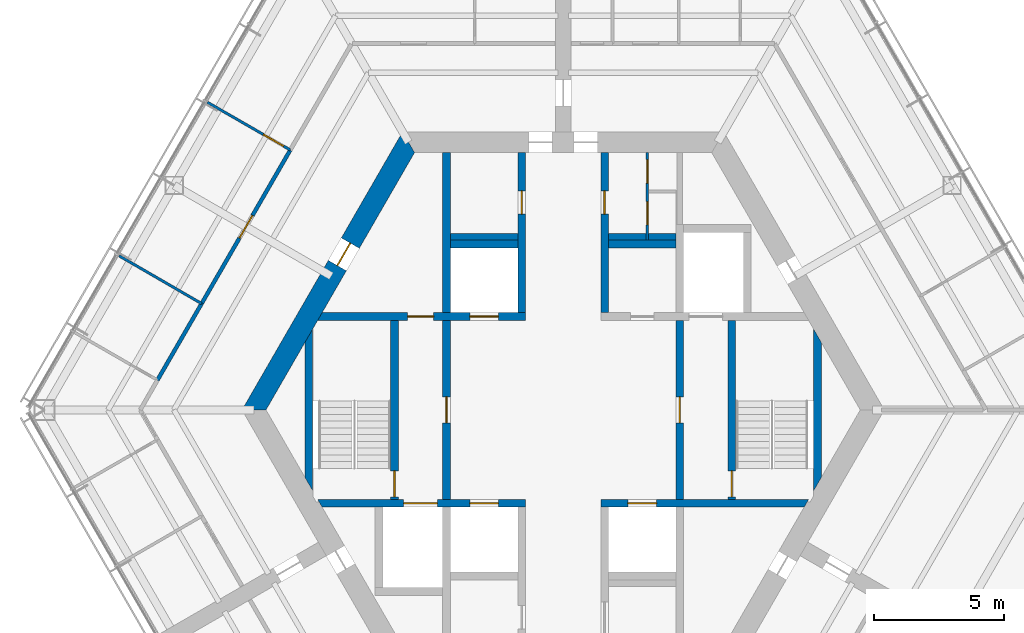
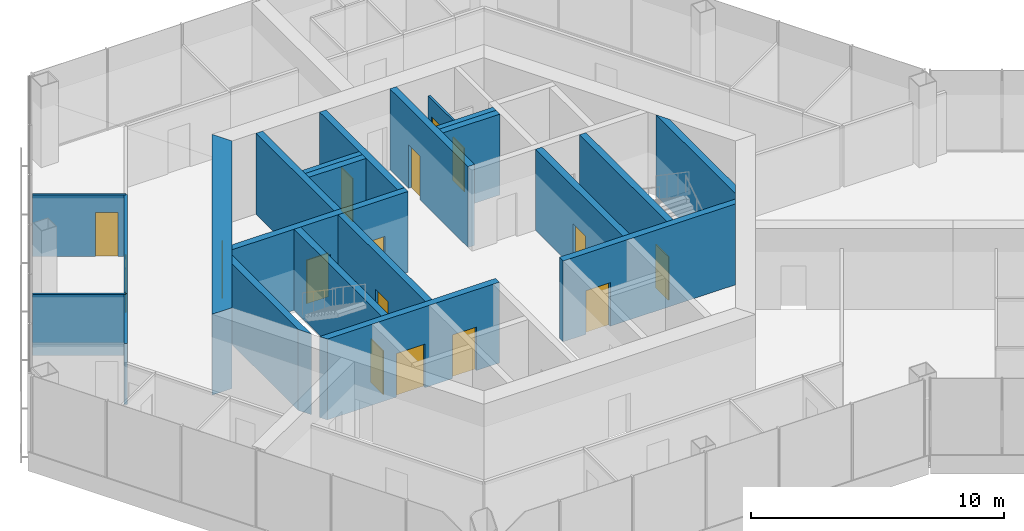
# One storey, part 8 of 13: 22 walls, 16 doors, 16 openings.
"""IFC4 building model written with IfcOpenShell, lengths in metres."""

from ifc_helpers import new_model, si_unit, direction, frame, frame_2d, origin, place, context, subcontext, project, spatial, polyline, rectangle, outline, extrude, material, layer, layer_set, type_object, element, fill, save


model = new_model("IFC4")

# Units and contexts
model_context = context("Model", 3, precision=1e-05, world=origin(), true_north=direction((0.0, 1.0)))
body_context = subcontext(model_context, "Body", "Model", "MODEL_VIEW")
ifc_project = project(units=[si_unit("LENGTHUNIT", "METRE"), si_unit("AREAUNIT", "SQUARE_METRE"), si_unit("VOLUMEUNIT", "CUBIC_METRE"), si_unit("PLANEANGLEUNIT", "RADIAN"), si_unit("MASSUNIT", "GRAM", prefix="KILO")], contexts=[model_context])

# Site, building, storey
site_placement = place(None, origin())
site = spatial("IfcSite", under=ifc_project, at=site_placement, CompositionType="ELEMENT")
building_placement = place(site_placement, origin())
building = spatial("IfcBuilding", under=site, at=building_placement, Name="Kasaneha Research Tower", CompositionType="ELEMENT")
storey_placement = place(building_placement, frame((0.0, 0.0, 283.0)))
storey = spatial("IfcBuildingStorey", under=building, at=storey_placement, Name="L71", CompositionType="ELEMENT", Elevation=283.0)

# Wall, openings, doors
ifc_material_1 = material(Name="Concrete Fc60", Category="concrete")
ifc_layer_1 = layer(ifc_material_1, 0.300048828125)
ifc_layer_set_1 = layer_set([ifc_layer_1], Name="Core internal wall 300 Fc60")
wall_type_1 = type_object("IfcWallType", Name="Core internal wall 300 Fc60", PredefinedType="SHEAR", material=ifc_layer_set_1)
wall_1_placement = place(storey_placement, frame((-9.3818359375, 3.60009765625, 0.0), z_axis=(0.0, 0.0, 1.0), x_axis=(1.0, 0.0, 0.0)))
wall_1 = element("IfcWall", 1, at=wall_1_placement, inside=storey, type_object=wall_type_1, Name="Core wall W1W L71", PredefinedType="SHEAR", context=body_context, shape_type="SweptSolid", body=[
    extrude(outline(polyline([(-0.086669921875, -0.14990234375), (3.3818359375, -0.14990234375), (4.3818359375, -0.14990234375), (5.781982421875, -0.14990234375), (6.882080078125, -0.14990234375), (7.931884765625, -0.14990234375), (7.931884765625, 0.14990234375), (6.882080078125, 0.14990234375), (5.781982421875, 0.14990234375), (4.3818359375, 0.14990234375), (3.3818359375, 0.14990234375), (0.086669921875, 0.14990234375), (-0.086669921875, -0.14990234375)])), origin(), (0.0, 0.0, 1.0), 3.89990234375),
])
opening_1_placement = place(wall_1_placement, frame((3.3818359375, 0.0, 0.0)))
opening_1 = element("IfcOpeningElement", 2, at=opening_1_placement, cuts=wall_1, Name="Opening L71-D12", PredefinedType="OPENING", context=body_context, shape_type="SweptSolid", body=[
    extrude(rectangle(XDim=1.0, YDim=2.10009765625, at=frame_2d((0.5, 1.050048828125))), frame((0.0, 0.16015625, 0.0), z_axis=(0.0, -1.0, 0.0), x_axis=(1.0, 0.0, 0.0)), (0.0, 0.0, 1.0), 0.320068359375),
])
opening_2_placement = place(wall_1_placement, frame((5.781982421875, 0.0, 0.0)))
opening_2 = element("IfcOpeningElement", 3, at=opening_2_placement, cuts=wall_1, Name="Opening LD-LH2-L71", PredefinedType="OPENING", context=body_context, shape_type="SweptSolid", body=[
    extrude(rectangle(XDim=1.10009765625, YDim=2.10009765625, at=frame_2d((0.550048828125, 1.050048828125))), frame((0.0, 0.16015625, 0.0), z_axis=(0.0, -1.0, 0.0), x_axis=(1.0, 0.0, 0.0)), (0.0, 0.0, 1.0), 0.320068359375),
])
ifc_material_2 = material(Name="Steel", Category="steel")
door_type_1 = type_object("IfcDoorType", Name="Lift landing door 1100x2100", OperationType="DOUBLE_DOOR_SLIDING", PredefinedType="DOOR", material=ifc_material_2)
door_1_placement = place(opening_2_placement, origin())
door_1 = element("IfcDoor", 4, at=door_1_placement, inside=storey, type_object=door_type_1, Name="Landing door LH2 LD-LH2-L71", OperationType="DOUBLE_DOOR_SLIDING", OverallHeight=2.10009765625, OverallWidth=1.10009765625, PredefinedType="DOOR", context=body_context, shape_type="SweptSolid", body=[
    extrude(rectangle(XDim=1.10009765625, YDim=2.10009765625, at=frame_2d((0.550048828125, 1.050048828125))), frame((0.0, 0.02490234375, 0.0), z_axis=(0.0, -1.0, 0.0), x_axis=(1.0, 0.0, 0.0)), (0.0, 0.0, 1.0), 0.050048828125),
])
fill(opening_2, door_1)
ifc_material_3 = material(Name="Steel", Category="steel")
door_type_2 = type_object("IfcDoorType", Name="Specified fire door FD60 1000x2100", OperationType="NOTDEFINED", PredefinedType="DOOR", material=ifc_material_3)
door_2_placement = place(opening_1_placement, origin())
door_2 = element("IfcDoor", 5, at=door_2_placement, inside=storey, type_object=door_type_2, Name="Vestibule to lobby door L71-D12", OperationType="SINGLE_SWING_LEFT", OverallHeight=2.10009765625, OverallWidth=1.0, PredefinedType="DOOR", context=body_context, shape_type="SweptSolid", body=[
    extrude(rectangle(XDim=1.0, YDim=2.10009765625, at=frame_2d((0.5, 1.050048828125))), frame((0.0, 0.02490234375, 0.0), z_axis=(0.0, -1.0, 0.0), x_axis=(1.0, 0.0, 0.0)), (0.0, 0.0, 1.0), 0.050048828125),
])
fill(opening_1, door_2)

wall_2_placement = place(storey_placement, frame((-9.3818359375, -3.60009765625, 0.0), z_axis=(0.0, 0.0, 1.0), x_axis=(1.0, 0.0, 0.0)))
wall_2 = element("IfcWall", 6, at=wall_2_placement, inside=storey, type_object=wall_type_1, Name="Core wall W2W L71", PredefinedType="SHEAR", context=body_context, shape_type="SweptSolid", body=[
    extrude(outline(polyline([(0.086669921875, -0.14990234375), (3.23193359375, -0.14990234375), (4.531982421875, -0.14990234375), (5.781982421875, -0.14990234375), (6.882080078125, -0.14990234375), (7.931884765625, -0.14990234375), (7.931884765625, 0.14990234375), (6.882080078125, 0.14990234375), (5.781982421875, 0.14990234375), (4.531982421875, 0.14990234375), (3.23193359375, 0.14990234375), (-0.086669921875, 0.14990234375), (0.086669921875, -0.14990234375)])), origin(), (0.0, 0.0, 1.0), 3.89990234375),
])
opening_3_placement = place(wall_2_placement, frame((5.781982421875, 0.0, 0.0)))
opening_3 = element("IfcOpeningElement", 7, at=opening_3_placement, cuts=wall_2, Name="Opening LD-LH1-L71", PredefinedType="OPENING", context=body_context, shape_type="SweptSolid", body=[
    extrude(rectangle(XDim=1.10009765625, YDim=2.10009765625, at=frame_2d((0.550048828125, 1.050048828125))), frame((0.0, 0.16015625, 0.0), z_axis=(0.0, -1.0, 0.0), x_axis=(1.0, 0.0, 0.0)), (0.0, 0.0, 1.0), 0.320068359375),
])
opening_4_placement = place(wall_2_placement, frame((3.23193359375, 0.0, 0.0)))
opening_4 = element("IfcOpeningElement", 8, at=opening_4_placement, cuts=wall_2, Name="Opening LD-FL2-L71", PredefinedType="OPENING", context=body_context, shape_type="SweptSolid", body=[
    extrude(rectangle(XDim=1.300048828125, YDim=2.10009765625, at=frame_2d((0.64990234375, 1.050048828125))), frame((0.0, 0.16015625, 0.0), z_axis=(0.0, -1.0, 0.0), x_axis=(1.0, 0.0, 0.0)), (0.0, 0.0, 1.0), 0.320068359375),
])
door_3_placement = place(opening_3_placement, origin())
door_3 = element("IfcDoor", 9, at=door_3_placement, inside=storey, type_object=door_type_1, Name="Landing door LH1 LD-LH1-L71", OperationType="DOUBLE_DOOR_SLIDING", OverallHeight=2.10009765625, OverallWidth=1.10009765625, PredefinedType="DOOR", context=body_context, shape_type="SweptSolid", body=[
    extrude(rectangle(XDim=1.10009765625, YDim=2.10009765625, at=frame_2d((0.550048828125, 1.050048828125))), frame((0.0, 0.02490234375, 0.0), z_axis=(0.0, -1.0, 0.0), x_axis=(1.0, 0.0, 0.0)), (0.0, 0.0, 1.0), 0.050048828125),
])
fill(opening_3, door_3)
ifc_material_4 = material(Name="Steel", Category="steel")
door_type_3 = type_object("IfcDoorType", Name="Lift landing door 1300x2100", OperationType="DOUBLE_DOOR_SLIDING", PredefinedType="DOOR", material=ifc_material_4)
door_4_placement = place(opening_4_placement, origin())
door_4 = element("IfcDoor", 10, at=door_4_placement, inside=storey, type_object=door_type_3, Name="Landing door FL2 LD-FL2-L71", OperationType="DOUBLE_DOOR_SLIDING", OverallHeight=2.10009765625, OverallWidth=1.300048828125, PredefinedType="DOOR", context=body_context, shape_type="SweptSolid", body=[
    extrude(rectangle(XDim=1.300048828125, YDim=2.10009765625, at=frame_2d((0.64990234375, 1.050048828125))), frame((0.0, 0.02490234375, 0.0), z_axis=(0.0, -1.0, 0.0), x_axis=(1.0, 0.0, 0.0)), (0.0, 0.0, 1.0), 0.050048828125),
])
fill(opening_4, door_4)

# Wall, opening, door
wall_3_placement = place(storey_placement, frame((1.449951171875, -3.60009765625, 0.0), z_axis=(0.0, 0.0, 1.0), x_axis=(1.0, 0.0, 0.0)))
wall_3 = element("IfcWall", 11, at=wall_3_placement, inside=storey, type_object=wall_type_1, Name="Core wall W2E L71", PredefinedType="SHEAR", context=body_context, shape_type="SweptSolid", body=[
    extrude(outline(polyline([(0.0, -0.14990234375), (1.050048828125, -0.14990234375), (2.150146484375, -0.14990234375), (7.84521484375, -0.14990234375), (8.0185546875, 0.14990234375), (2.150146484375, 0.14990234375), (1.050048828125, 0.14990234375), (0.0, 0.14990234375), (0.0, -0.14990234375)])), origin(), (0.0, 0.0, 1.0), 3.89990234375),
])
opening_5_placement = place(wall_3_placement, frame((1.050048828125, 0.0, 0.0)))
opening_5 = element("IfcOpeningElement", 12, at=opening_5_placement, cuts=wall_3, Name="Opening LD-LH3-L71", PredefinedType="OPENING", context=body_context, shape_type="SweptSolid", body=[
    extrude(rectangle(XDim=1.10009765625, YDim=2.10009765625, at=frame_2d((0.550048828125, 1.050048828125))), frame((0.0, 0.16015625, 0.0), z_axis=(0.0, -1.0, 0.0), x_axis=(1.0, 0.0, 0.0)), (0.0, 0.0, 1.0), 0.320068359375),
])
door_5_placement = place(opening_5_placement, origin())
door_5 = element("IfcDoor", 13, at=door_5_placement, inside=storey, type_object=door_type_1, Name="Landing door LH3 LD-LH3-L71", OperationType="DOUBLE_DOOR_SLIDING", OverallHeight=2.10009765625, OverallWidth=1.10009765625, PredefinedType="DOOR", context=body_context, shape_type="SweptSolid", body=[
    extrude(rectangle(XDim=1.10009765625, YDim=2.10009765625, at=frame_2d((0.550048828125, 1.050048828125))), frame((0.0, 0.02490234375, 0.0), z_axis=(0.0, -1.0, 0.0), x_axis=(1.0, 0.0, 0.0)), (0.0, 0.0, 1.0), 0.050048828125),
])
fill(opening_5, door_5)

wall_4_placement = place(storey_placement, frame((-1.60009765625, 3.75, 0.0), z_axis=(0.0, 0.0, 1.0), x_axis=(0.0, 1.0, 0.0)))
wall_4 = element("IfcWall", 14, at=wall_4_placement, inside=storey, type_object=wall_type_1, Name="Core wall CNW L71", PredefinedType="SHEAR", context=body_context, shape_type="SweptSolid", body=[
    extrude(rectangle(XDim=6.175048828125, YDim=0.300048828125, at=frame_2d((3.08740234375, 0.0))), origin(), (0.0, 0.0, 1.0), 3.89990234375),
])
opening_6_placement = place(wall_4_placement, frame((3.800048828125, 0.0, 0.0)))
opening_6 = element("IfcOpeningElement", 15, at=opening_6_placement, cuts=wall_4, Name="Opening L71-D13", PredefinedType="OPENING", context=body_context, shape_type="SweptSolid", body=[
    extrude(rectangle(XDim=0.89990234375, YDim=2.10009765625, at=frame_2d((0.449951171875, 1.050048828125))), frame((0.0, 0.16015625, 0.0), z_axis=(0.0, -1.0, 0.0), x_axis=(1.0, 0.0, 0.0)), (0.0, 0.0, 1.0), 0.320068359375),
])
ifc_material_5 = material(Name="Steel", Category="steel")
door_type_4 = type_object("IfcDoorType", Name="Toilet door FD20 900x2100", OperationType="NOTDEFINED", PredefinedType="DOOR", material=ifc_material_5)
door_6_placement = place(opening_6_placement, origin())
door_6 = element("IfcDoor", 16, at=door_6_placement, inside=storey, type_object=door_type_4, Name="Men's WC door L71-D13", OperationType="SINGLE_SWING_LEFT", OverallHeight=2.10009765625, OverallWidth=0.89990234375, PredefinedType="DOOR", context=body_context, shape_type="SweptSolid", body=[
    extrude(rectangle(XDim=0.89990234375, YDim=2.10009765625, at=frame_2d((0.449951171875, 1.050048828125))), frame((0.0, 0.02490234375, 0.0), z_axis=(0.0, -1.0, 0.0), x_axis=(1.0, 0.0, 0.0)), (0.0, 0.0, 1.0), 0.050048828125),
])
fill(opening_6, door_6)

wall_5_placement = place(storey_placement, frame((1.60009765625, 3.75, 0.0), z_axis=(0.0, 0.0, 1.0), x_axis=(0.0, 1.0, 0.0)))
wall_5 = element("IfcWall", 17, at=wall_5_placement, inside=storey, type_object=wall_type_1, Name="Core wall CNE L71", PredefinedType="SHEAR", context=body_context, shape_type="SweptSolid", body=[
    extrude(rectangle(XDim=6.175048828125, YDim=0.300048828125, at=frame_2d((3.08740234375, 0.0))), origin(), (0.0, 0.0, 1.0), 3.89990234375),
])
opening_7_placement = place(wall_5_placement, frame((3.800048828125, 0.0, 0.0)))
opening_7 = element("IfcOpeningElement", 18, at=opening_7_placement, cuts=wall_5, Name="Opening L71-D14", PredefinedType="OPENING", context=body_context, shape_type="SweptSolid", body=[
    extrude(rectangle(XDim=0.89990234375, YDim=2.10009765625, at=frame_2d((0.449951171875, 1.050048828125))), frame((0.0, 0.16015625, 0.0), z_axis=(0.0, -1.0, 0.0), x_axis=(1.0, 0.0, 0.0)), (0.0, 0.0, 1.0), 0.320068359375),
])
door_7_placement = place(opening_7_placement, origin())
door_7 = element("IfcDoor", 19, at=door_7_placement, inside=storey, type_object=door_type_4, Name="Women's WC door L71-D14", OperationType="SINGLE_SWING_LEFT", OverallHeight=2.10009765625, OverallWidth=0.89990234375, PredefinedType="DOOR", context=body_context, shape_type="SweptSolid", body=[
    extrude(rectangle(XDim=0.89990234375, YDim=2.10009765625, at=frame_2d((0.449951171875, 1.050048828125))), frame((0.0, 0.02490234375, 0.0), z_axis=(0.0, -1.0, 0.0), x_axis=(1.0, 0.0, 0.0)), (0.0, 0.0, 1.0), 0.050048828125),
])
fill(opening_7, door_7)

wall_6_placement = place(storey_placement, frame((-4.5, -3.449951171875, 0.0), z_axis=(0.0, 0.0, 1.0), x_axis=(0.0, 1.0, 0.0)))
wall_6 = element("IfcWall", 20, at=wall_6_placement, inside=storey, type_object=wall_type_1, Name="Core wall LBW L71", PredefinedType="SHEAR", context=body_context, shape_type="SweptSolid", body=[
    extrude(rectangle(XDim=6.89990234375, YDim=0.300048828125, at=frame_2d((3.449951171875, 0.0))), origin(), (0.0, 0.0, 1.0), 3.89990234375),
])
opening_8_placement = place(wall_6_placement, frame((2.949951171875, 0.0, 0.0)))
opening_8 = element("IfcOpeningElement", 21, at=opening_8_placement, cuts=wall_6, Name="Opening L71-D09", PredefinedType="OPENING", context=body_context, shape_type="SweptSolid", body=[
    extrude(rectangle(XDim=1.0, YDim=2.10009765625, at=frame_2d((0.5, 1.050048828125))), frame((0.0, 0.16015625, 0.0), z_axis=(0.0, -1.0, 0.0), x_axis=(1.0, 0.0, 0.0)), (0.0, 0.0, 1.0), 0.320068359375),
])
door_8_placement = place(opening_8_placement, origin())
door_8 = element("IfcDoor", 22, at=door_8_placement, inside=storey, type_object=door_type_2, Name="Lift lobby door west L71-D09", OperationType="SINGLE_SWING_LEFT", OverallHeight=2.10009765625, OverallWidth=1.0, PredefinedType="DOOR", context=body_context, shape_type="SweptSolid", body=[
    extrude(rectangle(XDim=1.0, YDim=2.10009765625, at=frame_2d((0.5, 1.050048828125))), frame((0.0, 0.02490234375, 0.0), z_axis=(0.0, -1.0, 0.0), x_axis=(1.0, 0.0, 0.0)), (0.0, 0.0, 1.0), 0.050048828125),
])
fill(opening_8, door_8)

wall_7_placement = place(storey_placement, frame((4.5, -3.449951171875, 0.0), z_axis=(0.0, 0.0, 1.0), x_axis=(0.0, 1.0, 0.0)))
wall_7 = element("IfcWall", 23, at=wall_7_placement, inside=storey, type_object=wall_type_1, Name="Core wall LBE L71", PredefinedType="SHEAR", context=body_context, shape_type="SweptSolid", body=[
    extrude(rectangle(XDim=6.89990234375, YDim=0.300048828125, at=frame_2d((3.449951171875, 0.0))), origin(), (0.0, 0.0, 1.0), 3.89990234375),
])
opening_9_placement = place(wall_7_placement, frame((2.949951171875, 0.0, 0.0)))
opening_9 = element("IfcOpeningElement", 24, at=opening_9_placement, cuts=wall_7, Name="Opening L71-D08", PredefinedType="OPENING", context=body_context, shape_type="SweptSolid", body=[
    extrude(rectangle(XDim=1.0, YDim=2.10009765625, at=frame_2d((0.5, 1.050048828125))), frame((0.0, 0.16015625, 0.0), z_axis=(0.0, -1.0, 0.0), x_axis=(1.0, 0.0, 0.0)), (0.0, 0.0, 1.0), 0.320068359375),
])
door_9_placement = place(opening_9_placement, origin())
door_9 = element("IfcDoor", 25, at=door_9_placement, inside=storey, type_object=door_type_2, Name="Lift lobby door east L71-D08", OperationType="SINGLE_SWING_LEFT", OverallHeight=2.10009765625, OverallWidth=1.0, PredefinedType="DOOR", context=body_context, shape_type="SweptSolid", body=[
    extrude(rectangle(XDim=1.0, YDim=2.10009765625, at=frame_2d((0.5, 1.050048828125))), frame((0.0, 0.02490234375, 0.0), z_axis=(0.0, -1.0, 0.0), x_axis=(1.0, 0.0, 0.0)), (0.0, 0.0, 1.0), 0.050048828125),
])
fill(opening_9, door_9)

wall_8_placement = place(storey_placement, frame((-6.5, -3.449951171875, 0.0), z_axis=(0.0, 0.0, 1.0), x_axis=(0.0, 1.0, 0.0)))
wall_8 = element("IfcWall", 26, at=wall_8_placement, inside=storey, type_object=wall_type_1, Name="Core wall ANW L71", PredefinedType="SHEAR", context=body_context, shape_type="SweptSolid", body=[
    extrude(rectangle(XDim=6.89990234375, YDim=0.300048828125, at=frame_2d((3.449951171875, 0.0))), origin(), (0.0, 0.0, 1.0), 3.89990234375),
])
opening_10_placement = place(wall_8_placement, frame((0.10009765625, 0.0, 0.0)))
opening_10 = element("IfcOpeningElement", 27, at=opening_10_placement, cuts=wall_8, Name="Opening L71-D11", PredefinedType="OPENING", context=body_context, shape_type="SweptSolid", body=[
    extrude(rectangle(XDim=1.0, YDim=2.10009765625, at=frame_2d((0.5, 1.050048828125))), frame((0.0, 0.16015625, 0.0), z_axis=(0.0, -1.0, 0.0), x_axis=(1.0, 0.0, 0.0)), (0.0, 0.0, 1.0), 0.320068359375),
])
door_10_placement = place(opening_10_placement, origin())
door_10 = element("IfcDoor", 28, at=door_10_placement, inside=storey, type_object=door_type_2, Name="Stair 2 door L71-D11", OperationType="SINGLE_SWING_LEFT", OverallHeight=2.10009765625, OverallWidth=1.0, PredefinedType="DOOR", context=body_context, shape_type="SweptSolid", body=[
    extrude(rectangle(XDim=1.0, YDim=2.10009765625, at=frame_2d((0.5, 1.050048828125))), frame((0.0, 0.02490234375, 0.0), z_axis=(0.0, -1.0, 0.0), x_axis=(1.0, 0.0, 0.0)), (0.0, 0.0, 1.0), 0.050048828125),
])
fill(opening_10, door_10)

wall_9_placement = place(storey_placement, frame((6.5, -3.449951171875, 0.0), z_axis=(0.0, 0.0, 1.0), x_axis=(0.0, 1.0, 0.0)))
wall_9 = element("IfcWall", 29, at=wall_9_placement, inside=storey, type_object=wall_type_1, Name="Core wall ANE L71", PredefinedType="SHEAR", context=body_context, shape_type="SweptSolid", body=[
    extrude(rectangle(XDim=6.89990234375, YDim=0.300048828125, at=frame_2d((3.449951171875, 0.0))), origin(), (0.0, 0.0, 1.0), 3.89990234375),
])
opening_11_placement = place(wall_9_placement, frame((0.10009765625, 0.0, 0.0)))
opening_11 = element("IfcOpeningElement", 30, at=opening_11_placement, cuts=wall_9, Name="Opening L71-D10", PredefinedType="OPENING", context=body_context, shape_type="SweptSolid", body=[
    extrude(rectangle(XDim=1.0, YDim=2.10009765625, at=frame_2d((0.5, 1.050048828125))), frame((0.0, 0.16015625, 0.0), z_axis=(0.0, -1.0, 0.0), x_axis=(1.0, 0.0, 0.0)), (0.0, 0.0, 1.0), 0.320068359375),
])
door_11_placement = place(opening_11_placement, origin())
door_11 = element("IfcDoor", 31, at=door_11_placement, inside=storey, type_object=door_type_2, Name="Stair 1 door L71-D10", OperationType="SINGLE_SWING_LEFT", OverallHeight=2.10009765625, OverallWidth=1.0, PredefinedType="DOOR", context=body_context, shape_type="SweptSolid", body=[
    extrude(rectangle(XDim=1.0, YDim=2.10009765625, at=frame_2d((0.5, 1.050048828125))), frame((0.0, 0.02490234375, 0.0), z_axis=(0.0, -1.0, 0.0), x_axis=(1.0, 0.0, 0.0)), (0.0, 0.0, 1.0), 0.050048828125),
])
fill(opening_11, door_11)

# Walls
wall_10_placement = place(storey_placement, frame((-4.5, 3.75, 0.0), z_axis=(0.0, 0.0, 1.0), x_axis=(0.0, 1.0, 0.0)))
element("IfcWall", 32, at=wall_10_placement, inside=storey, type_object=wall_type_1, Name="Core wall VNW L71", PredefinedType="SHEAR", context=body_context, shape_type="SweptSolid", body=[
    extrude(rectangle(XDim=6.175048828125, YDim=0.300048828125, at=frame_2d((3.08740234375, 0.0))), origin(), (0.0, 0.0, 1.0), 3.89990234375),
])
for number, where, z_axis, x_axis, name in (
    (33, (-4.35009765625, 6.39990234375, 0.0), (0.0, 0.0, 1.0), (1.0, 0.0, 0.0), "Core wall N1N L71"),
    (34, (1.75, 6.39990234375, 0.0), (0.0, 0.0, 1.0), (1.0, 0.0, 0.0), "Core wall N3N L71"),
):
    element("IfcWall", number, at=place(storey_placement, frame(where, z_axis=z_axis, x_axis=x_axis)), inside=storey, type_object=wall_type_1, Name=name, PredefinedType="SHEAR", context=body_context, shape_type="SweptSolid", body=[
        extrude(rectangle(XDim=2.60009765625, YDim=0.300048828125, at=frame_2d((1.300048828125, 0.0))), origin(), (0.0, 0.0, 1.0), 3.89990234375),
    ])
wall_11_placement = place(storey_placement, frame((9.807861328125, -2.8623046875, 0.0), z_axis=(0.0, 0.0, 1.0), x_axis=(0.0, 1.0, 0.0)))
element("IfcWall", 35, at=wall_11_placement, inside=storey, type_object=wall_type_1, Name="Core wall STE L71", PredefinedType="SHEAR", context=body_context, shape_type="SweptSolid", body=[
    extrude(outline(polyline([(0.259765625, -0.14990234375), (5.46484375, -0.14990234375), (5.984375, 0.14990234375), (-0.259765625, 0.14990234375), (0.259765625, -0.14990234375)])), origin(), (0.0, 0.0, 1.0), 3.89990234375),
])
wall_12_placement = place(storey_placement, frame((-9.807861328125, -2.8623046875, 0.0), z_axis=(0.0, 0.0, 1.0), x_axis=(0.0, 1.0, 0.0)))
element("IfcWall", 36, at=wall_12_placement, inside=storey, type_object=wall_type_1, Name="Core wall STW L71", PredefinedType="SHEAR", context=body_context, shape_type="SweptSolid", body=[
    extrude(outline(polyline([(-0.259765625, -0.14990234375), (5.984375, -0.14990234375), (5.46484375, 0.14990234375), (0.259765625, 0.14990234375), (-0.259765625, -0.14990234375)])), origin(), (0.0, 0.0, 1.0), 3.89990234375),
])

# Wall, opening, door
ifc_material_6 = material(Name="Concrete Fc60", Category="concrete")
ifc_layer_2 = layer(ifc_material_6, 0.800048828125)
ifc_layer_set_2 = layer_set([ifc_layer_2], Name="Core wall 800 Fc60")
wall_type_2 = type_object("IfcWallType", Name="Core wall 800 Fc60", PredefinedType="SHEAR", material=ifc_layer_set_2)
wall_13_placement = place(storey_placement, frame((-5.961181640625, 10.324951171875, 0.0), z_axis=(0.0, 0.0, 1.0), x_axis=(-0.500004296715, -0.866022923061, 0.0)))
wall_13 = element("IfcWall", 37, at=wall_13_placement, inside=storey, type_object=wall_type_2, Name="Core wall 150 L71", PredefinedType="SHEAR", context=body_context, shape_type="SweptSolid", body=[
    extrude(outline(polyline([(-0.23095703125, -0.39990234375), (4.494140625, -0.39990234375), (5.494140625, -0.39990234375), (12.1533203125, -0.39990234375), (11.69140625, 0.39990234375), (5.494140625, 0.39990234375), (4.494140625, 0.39990234375), (0.23095703125, 0.39990234375), (-0.23095703125, -0.39990234375)])), origin(), (0.0, 0.0, 1.0), 3.89990234375),
])
opening_12_placement = place(wall_13_placement, frame((4.494140625, 0.0, 0.0)))
opening_12 = element("IfcOpeningElement", 38, at=opening_12_placement, cuts=wall_13, Name="Opening L71-D07", PredefinedType="OPENING", context=body_context, shape_type="SweptSolid", body=[
    extrude(rectangle(XDim=1.0, YDim=2.10009765625, at=frame_2d((0.5, 1.050048828125))), frame((0.0, 0.41015625, 0.0), z_axis=(0.0, -1.0, 0.0), x_axis=(1.0, 0.0, 0.0)), (0.0, 0.0, 1.0), 0.820068359375),
])
ifc_material_7 = material(Name="Steel", Category="steel")
door_type_5 = type_object("IfcDoorType", Name="Fire door FD20 1000x2100", OperationType="NOTDEFINED", PredefinedType="DOOR", material=ifc_material_7)
door_12_placement = place(opening_12_placement, origin())
door_12 = element("IfcDoor", 39, at=door_12_placement, inside=storey, type_object=door_type_5, Name="Vestibule door L71-D07", OperationType="SINGLE_SWING_LEFT", OverallHeight=2.10009765625, OverallWidth=1.0, PredefinedType="DOOR", context=body_context, shape_type="SweptSolid", body=[
    extrude(rectangle(XDim=1.0, YDim=2.10009765625, at=frame_2d((0.5, 1.050048828125))), frame((0.0, 0.02490234375, 0.0), z_axis=(0.0, -1.0, 0.0), x_axis=(1.0, 0.0, 0.0)), (0.0, 0.0, 1.0), 0.050048828125),
])
fill(opening_12, door_12)

# Wall, openings, doors
ifc_material_8 = material(Name="Gypsum board on steel studs, one layer each side", Category="steel")
ifc_layer_3 = layer(ifc_material_8, 0.10009765625)
ifc_layer_set_3 = layer_set([ifc_layer_3], Name="Office partition 100")
wall_type_3 = type_object("IfcWallType", Name="Office partition 100", PredefinedType="PARTITIONING", material=ifc_layer_set_3)
wall_14_placement = place(storey_placement, frame((3.25, 6.550048828125, 0.0), z_axis=(0.0, 0.0, 1.0), x_axis=(0.0, 1.0, 0.0)))
wall_14 = element("IfcWall", 40, at=wall_14_placement, inside=storey, type_object=wall_type_3, Name="Office partition TBF1 L71", PredefinedType="PARTITIONING", context=body_context, shape_type="SweptSolid", body=[
    extrude(rectangle(XDim=3.375, YDim=0.10009765625, at=frame_2d((1.6875, 0.0))), origin(), (0.0, 0.0, 1.0), 2.949951171875),
])
opening_13_placement = place(wall_14_placement, frame((0.58740234375, 0.0, 0.0)))
opening_13 = element("IfcOpeningElement", 41, at=opening_13_placement, cuts=wall_14, Name="Opening L71-D21", PredefinedType="OPENING", context=body_context, shape_type="SweptSolid", body=[
    extrude(rectangle(XDim=0.89990234375, YDim=2.10009765625, at=frame_2d((0.449951171875, 1.050048828125))), frame((0.0, 0.06005859375, 0.0), z_axis=(0.0, -1.0, 0.0), x_axis=(1.0, 0.0, 0.0)), (0.0, 0.0, 1.0), 0.1201171875),
])
opening_14_placement = place(wall_14_placement, frame((2.199951171875, 0.0, 0.0)))
opening_14 = element("IfcOpeningElement", 42, at=opening_14_placement, cuts=wall_14, Name="Opening L71-D22", PredefinedType="OPENING", context=body_context, shape_type="SweptSolid", body=[
    extrude(rectangle(XDim=0.89990234375, YDim=2.10009765625, at=frame_2d((0.449951171875, 1.050048828125))), frame((0.0, 0.06005859375, 0.0), z_axis=(0.0, -1.0, 0.0), x_axis=(1.0, 0.0, 0.0)), (0.0, 0.0, 1.0), 0.1201171875),
])
ifc_material_9 = material(Name="Steel", Category="steel")
door_type_6 = type_object("IfcDoorType", Name="Toilet lobby door FD30 900x2100", OperationType="NOTDEFINED", PredefinedType="DOOR", material=ifc_material_9)
door_13_placement = place(opening_13_placement, origin())
door_13 = element("IfcDoor", 43, at=door_13_placement, inside=storey, type_object=door_type_6, Name="Women's WC door L71-D21", OperationType="SINGLE_SWING_RIGHT", OverallHeight=2.10009765625, OverallWidth=0.89990234375, PredefinedType="DOOR", context=body_context, shape_type="SweptSolid", body=[
    extrude(rectangle(XDim=0.89990234375, YDim=2.10009765625, at=frame_2d((0.449951171875, 1.050048828125))), frame((0.0, 0.02490234375, 0.0), z_axis=(0.0, -1.0, 0.0), x_axis=(1.0, 0.0, 0.0)), (0.0, 0.0, 1.0), 0.050048828125),
])
fill(opening_13, door_13)
door_14_placement = place(opening_14_placement, origin())
door_14 = element("IfcDoor", 44, at=door_14_placement, inside=storey, type_object=door_type_6, Name="Cleaner's store door L71-D22", OperationType="SINGLE_SWING_RIGHT", OverallHeight=2.10009765625, OverallWidth=0.89990234375, PredefinedType="DOOR", context=body_context, shape_type="SweptSolid", body=[
    extrude(rectangle(XDim=0.89990234375, YDim=2.10009765625, at=frame_2d((0.449951171875, 1.050048828125))), frame((0.0, 0.02490234375, 0.0), z_axis=(0.0, -1.0, 0.0), x_axis=(1.0, 0.0, 0.0)), (0.0, 0.0, 1.0), 0.050048828125),
])
fill(opening_14, door_14)

# Wall, opening, door
wall_15_placement = place(storey_placement, frame((-10.522705078125, 10.0244140625, 0.0), z_axis=(0.0, 0.0, 1.0), x_axis=(-0.866669326341, 0.498883031161, 0.0)))
wall_15 = element("IfcWall", 45, at=wall_15_placement, inside=storey, type_object=wall_type_3, Name="Office partition FBN08 L71", PredefinedType="PARTITIONING", context=body_context, shape_type="SweptSolid", body=[
    extrude(rectangle(XDim=3.685546875, YDim=0.10009765625, at=frame_2d((1.8427734375, 0.0))), origin(), (0.0, 0.0, 1.0), 2.949951171875),
])
opening_15_placement = place(wall_15_placement, frame((0.300048828125, 0.0, 0.0)))
opening_15 = element("IfcOpeningElement", 46, at=opening_15_placement, cuts=wall_15, Name="Opening L71-D34", PredefinedType="OPENING", context=body_context, shape_type="SweptSolid", body=[
    extrude(rectangle(XDim=0.89990234375, YDim=2.10009765625, at=frame_2d((0.449951171875, 1.050048828125))), frame((0.0, 0.06005859375, 0.0), z_axis=(0.0, -1.0, 0.0), x_axis=(1.0, 0.0, 0.0)), (0.0, 0.0, 1.0), 0.1201171875),
])
ifc_material_10 = material(Name="Timber veneer", Category="wood")
door_type_7 = type_object("IfcDoorType", Name="Office door 900x2100", OperationType="SINGLE_SWING_LEFT", PredefinedType="DOOR", material=ifc_material_10)
door_15_placement = place(opening_15_placement, origin())
door_15 = element("IfcDoor", 47, at=door_15_placement, inside=storey, type_object=door_type_7, Name="Executive office door L71-D34", OperationType="SINGLE_SWING_LEFT", OverallHeight=2.10009765625, OverallWidth=0.89990234375, PredefinedType="DOOR", context=body_context, shape_type="SweptSolid", body=[
    extrude(rectangle(XDim=0.89990234375, YDim=2.10009765625, at=frame_2d((0.449951171875, 1.050048828125))), frame((0.0, 0.02490234375, 0.0), z_axis=(0.0, -1.0, 0.0), x_axis=(1.0, 0.0, 0.0)), (0.0, 0.0, 1.0), 0.050048828125),
])
fill(opening_15, door_15)

# Walls
wall_16_placement = place(storey_placement, frame((-17.123291015625, 5.9423828125, 0.0), z_axis=(0.0, 0.0, 1.0), x_axis=(0.865383836577, -0.501109584214, 0.0)))
element("IfcWall", 48, at=wall_16_placement, inside=storey, type_object=wall_type_3, Name="Office partition FBN11 L71", PredefinedType="PARTITIONING", context=body_context, shape_type="SweptSolid", body=[
    extrude(rectangle(XDim=3.675537109375, YDim=0.10009765625, at=frame_2d((1.837890625, 0.0))), origin(), (0.0, 0.0, 1.0), 2.949951171875),
])
ifc_material_11 = material(Name="Gypsum board on steel studs, two layers each side", Category="steel")
ifc_layer_4 = layer(ifc_material_11, 0.14990234375)
ifc_layer_set_4 = layer_set([ifc_layer_4], Name="Suite partition 150")
wall_type_4 = type_object("IfcWallType", Name="Suite partition 150", PredefinedType="PARTITIONING", material=ifc_layer_set_4)
wall_17_placement = place(storey_placement, frame((-15.650634765625, 1.142333984375, 0.0), z_axis=(0.0, 0.0, 1.0), x_axis=(0.500032973541, 0.866006365664, 0.0)))
element("IfcWall", 49, at=wall_17_placement, inside=storey, type_object=wall_type_4, Name="Suite partition FBN04 L71", PredefinedType="PARTITIONING", context=body_context, shape_type="SweptSolid", body=[
    extrude(rectangle(XDim=3.425537109375, YDim=0.14990234375, at=frame_2d((1.712890625, 0.0))), origin(), (0.0, 0.0, 1.0), 2.949951171875),
])

# Wall, opening, door
wall_18_placement = place(storey_placement, frame((-13.942626953125, 4.1005859375, 0.0), z_axis=(0.0, 0.0, 1.0), x_axis=(0.499977863513, 0.866038183914, 0.0)))
wall_18 = element("IfcWall", 50, at=wall_18_placement, inside=storey, type_object=wall_type_4, Name="Suite partition FBN05 L71", PredefinedType="PARTITIONING", context=body_context, shape_type="SweptSolid", body=[
    extrude(rectangle(XDim=6.840087890625, YDim=0.14990234375, at=frame_2d((3.419921875, 0.0))), origin(), (0.0, 0.0, 1.0), 2.949951171875),
])
opening_16_placement = place(wall_18_placement, frame((2.919921875, 0.0, 0.0)))
opening_16 = element("IfcOpeningElement", 51, at=opening_16_placement, cuts=wall_18, Name="Opening L71-D32", PredefinedType="OPENING", context=body_context, shape_type="SweptSolid", body=[
    extrude(rectangle(XDim=1.0, YDim=2.10009765625, at=frame_2d((0.5, 1.050048828125))), frame((0.0, 0.0849609375, 0.0), z_axis=(0.0, -1.0, 0.0), x_axis=(1.0, 0.0, 0.0)), (0.0, 0.0, 1.0), 0.169921875),
])
ifc_material_12 = material(Name="Steel", Category="steel")
door_type_8 = type_object("IfcDoorType", Name="Suite entrance door FD60 1000x2100", OperationType="NOTDEFINED", PredefinedType="DOOR", material=ifc_material_12)
door_16_placement = place(opening_16_placement, origin())
door_16 = element("IfcDoor", 52, at=door_16_placement, inside=storey, type_object=door_type_8, Name="Suite entrance door L71-D32", OperationType="SINGLE_SWING_RIGHT", OverallHeight=2.10009765625, OverallWidth=1.0, PredefinedType="DOOR", context=body_context, shape_type="SweptSolid", body=[
    extrude(rectangle(XDim=1.0, YDim=2.10009765625, at=frame_2d((0.5, 1.050048828125))), frame((0.0, 0.02490234375, 0.0), z_axis=(0.0, -1.0, 0.0), x_axis=(1.0, 0.0, 0.0)), (0.0, 0.0, 1.0), 0.050048828125),
])
fill(opening_16, door_16)

# Walls
ifc_material_13 = material(Name="Concrete block lining", Category="concrete")
ifc_layer_5 = layer(ifc_material_13, 0.25)
ifc_layer_set_5 = layer_set([ifc_layer_5], Name="WC plumbing wall 250")
wall_type_5 = type_object("IfcWallType", Name="WC plumbing wall 250", PredefinedType="PLUMBINGWALL", material=ifc_layer_set_5)
for number, where, z_axis, x_axis, name in (
    (53, (-4.35009765625, 6.675048828125, 0.0), (0.0, 0.0, 1.0), (1.0, 0.0, 0.0), "WC plumbing wall M L71"),
    (54, (1.75, 6.675048828125, 0.0), (0.0, 0.0, 1.0), (1.0, 0.0, 0.0), "WC plumbing wall F L71"),
):
    element("IfcWall", number, at=place(storey_placement, frame(where, z_axis=z_axis, x_axis=x_axis)), inside=storey, type_object=wall_type_5, Name=name, PredefinedType="PLUMBINGWALL", context=body_context, shape_type="SweptSolid", body=[
        extrude(rectangle(XDim=2.60009765625, YDim=0.25, at=frame_2d((1.300048828125, 0.0))), origin(), (0.0, 0.0, 1.0), 3.89990234375),
    ])

save(model, "model.ifc")
